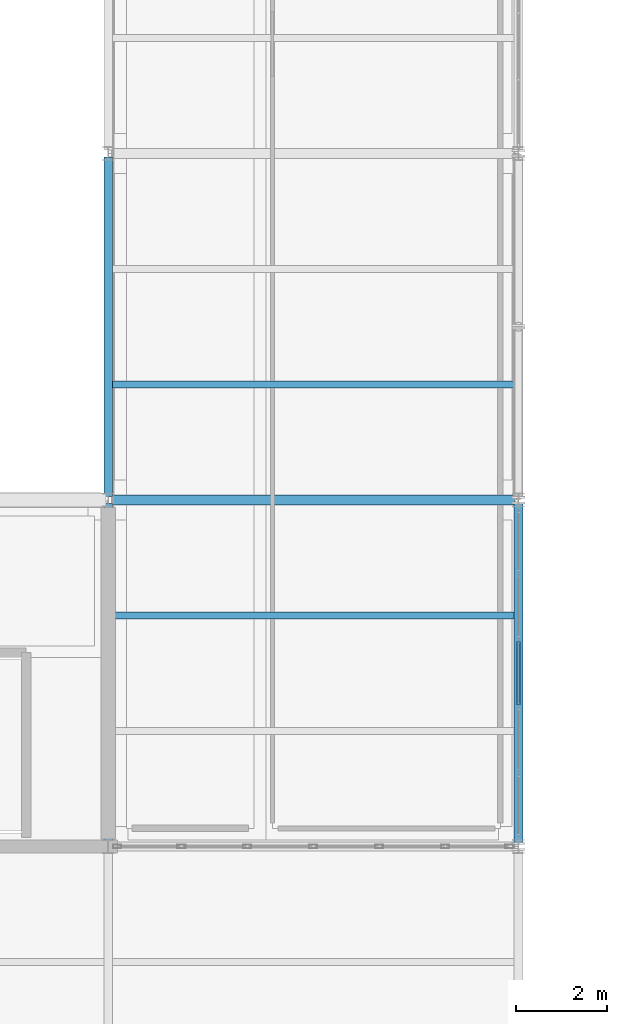
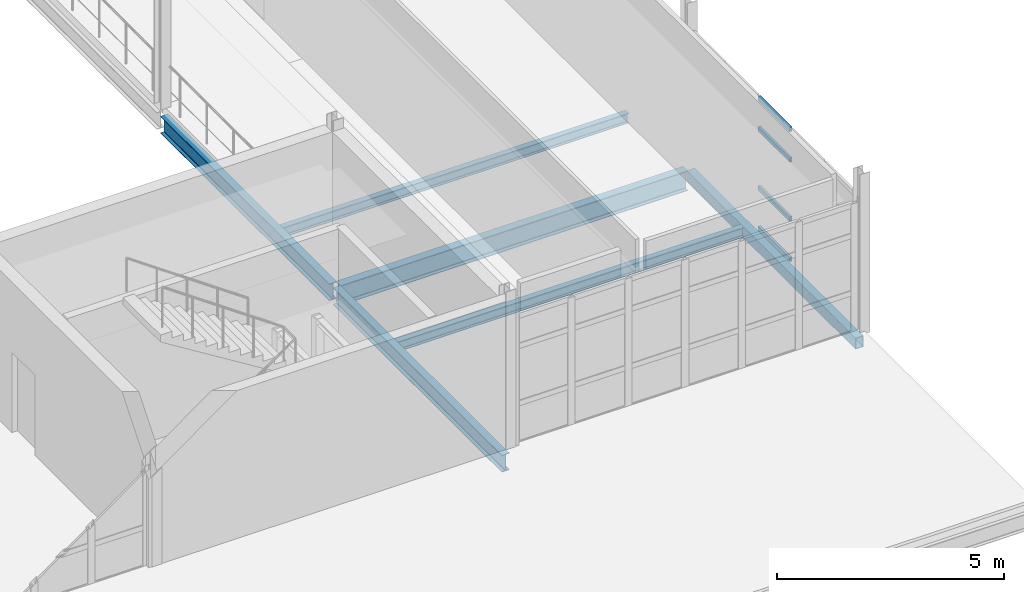
# One storey, part 59 of 96: 6 beams, 4 members, 1 element without a shape of its own.
"""IFC4 building model written with IfcOpenShell, lengths in metres."""

from ifc_helpers import new_model, si_unit, direction, frame, origin, origin_2d, place, context, subcontext, project, spatial, hollow_rectangle, i_section, extrude, material, material_profile, profile_set, type_object, element, aggregate, save


model = new_model("IFC4")

# Units and contexts
model_context = context("Model", 3, precision=1e-05, world=origin(), true_north=direction((0.0, 1.0)))
body_context = subcontext(model_context, "Body", "Model", "MODEL_VIEW")
ifc_project = project(units=[si_unit("LENGTHUNIT", "METRE"), si_unit("AREAUNIT", "SQUARE_METRE"), si_unit("VOLUMEUNIT", "CUBIC_METRE"), si_unit("PLANEANGLEUNIT", "RADIAN"), si_unit("MASSUNIT", "GRAM", prefix="KILO")], contexts=[model_context])

# Site, building, storey
site_placement = place(None, origin())
site = spatial("IfcSite", under=ifc_project, at=site_placement, CompositionType="ELEMENT")
building_placement = place(site_placement, origin())
building = spatial("IfcBuilding", under=site, at=building_placement, Name="Caisbarro Railhouse Central Library", CompositionType="ELEMENT")
storey_placement = place(building_placement, frame((0.0, 0.0, 13.679931640625)))
storey = spatial("IfcBuildingStorey", under=building, at=storey_placement, Name="L03", CompositionType="ELEMENT", Elevation=13.679931640625)

# Beams
ifc_material_1 = material(Name="Steel ASTM A572 Grade 50", Category="steel")
ifc_material_profile_1 = material_profile(ifc_material_1, i_section(OverallWidth=0.208984375, OverallDepth=0.532958984375, WebThickness=0.01025390625, FlangeThickness=0.015625, FilletRadius=0.02001953125, at=origin_2d()), Name="W530X92.0")
ifc_profile_set_1 = profile_set([ifc_material_profile_1], Name="Steel ASTM A572 Grade 50")
beam_type_1 = type_object("IfcBeamType", Name="BM-G06", PredefinedType="BEAM", material=ifc_profile_set_1)
beam_1_placement = place(storey_placement, frame((144.080078125, 76.0, -0.486328125), z_axis=(1.0, 0.0, 0.0), x_axis=(0.0, 1.0, 0.0)))
element("IfcBeam", 1, at=beam_1_placement, inside=storey, type_object=beam_type_1, Name="G06 beam L03 #1862", PredefinedType="BEAM", context=body_context, shape_type="SweptSolid", body=[
    extrude(i_section(OverallWidth=0.208984375, OverallDepth=0.532958984375, WebThickness=0.01025390625, FlangeThickness=0.015625, FilletRadius=0.02001953125, at=origin_2d()), origin(), (0.0, 0.0, 1.0), 8.83984375),
])
ifc_material_profile_2 = material_profile(ifc_material_1, i_section(OverallWidth=0.18994140625, OverallDepth=0.45703125, WebThickness=0.009033203125, FlangeThickness=0.014404296875, FilletRadius=0.01806640625, at=origin_2d()), Name="W460X74.0")
ifc_profile_set_2 = profile_set([ifc_material_profile_2], Name="Steel ASTM A572 Grade 50")
beam_type_2 = type_object("IfcBeamType", Name="BM-G08", PredefinedType="BEAM", material=ifc_profile_set_2)
for number, where, z_axis, x_axis, name in (
    (2, (144.0, 68.47998046875, -0.448486328125), (0.0, 1.0, 0.0), (-1.0, 0.0, 0.0), "G08 beam L03 #1897"),
    (3, (144.0, 76.080078125, -0.448486328125), (0.0, 1.0, 0.0), (-1.0, 0.0, 0.0), "G08 beam L03 #1898"),
):
    element("IfcBeam", number, at=place(storey_placement, frame(where, z_axis=z_axis, x_axis=x_axis)), inside=storey, type_object=beam_type_2, Name=name, PredefinedType="BEAM", context=body_context, shape_type="SweptSolid", body=[
        extrude(i_section(OverallWidth=0.18994140625, OverallDepth=0.45703125, WebThickness=0.009033203125, FlangeThickness=0.014404296875, FilletRadius=0.01806640625, at=origin_2d()), origin(), (0.0, 0.0, 1.0), 7.43994140625),
    ])
ifc_material_profile_3 = material_profile(ifc_material_1, i_section(OverallWidth=0.14794921875, OverallDepth=0.26611328125, WebThickness=0.007568359375, FlangeThickness=0.012939453125, FilletRadius=0.010009765625, at=origin_2d()), Name="W250X44.8")
ifc_profile_set_3 = profile_set([ifc_material_profile_3], Name="Steel ASTM A572 Grade 50")
beam_type_3 = type_object("IfcBeamType", Name="BM-J04", PredefinedType="JOIST", material=ifc_profile_set_3)
for number, where, z_axis, x_axis, name in (
    (4, (144.094970703125, 73.466796875, -0.35302734375), (1.0, 0.0, 0.0), (0.0, 1.0, 0.0), "J04 beam L03 #1934"),
    (5, (144.094970703125, 78.533203125, -0.35302734375), (1.0, 0.0, 0.0), (0.0, 1.0, 0.0), "J04 beam L03 #1935"),
):
    element("IfcBeam", number, at=place(storey_placement, frame(where, z_axis=z_axis, x_axis=x_axis)), inside=storey, type_object=beam_type_3, Name=name, PredefinedType="JOIST", context=body_context, shape_type="SweptSolid", body=[
        extrude(i_section(OverallWidth=0.14794921875, OverallDepth=0.26611328125, WebThickness=0.007568359375, FlangeThickness=0.012939453125, FilletRadius=0.010009765625, at=origin_2d()), origin(), (0.0, 0.0, 1.0), 8.804931640625),
    ])
ifc_material_profile_4 = material_profile(ifc_material_1, hollow_rectangle(XDim=0.199951171875, YDim=0.300048828125, WallThickness=0.012451171875, at=origin_2d()), Name="HSS300X200X12.5")
ifc_profile_set_4 = profile_set([ifc_material_profile_4], Name="Steel ASTM A572 Grade 50")
beam_type_4 = type_object("IfcBeamType", Name="BM-SP02", PredefinedType="SPANDREL", material=ifc_profile_set_4)
beam_2_placement = place(storey_placement, frame((153.0, 68.47998046875, -0.369873046875), z_axis=(0.0, 1.0, 0.0), x_axis=(-1.0, 0.0, 0.0)))
element("IfcBeam", 6, at=beam_2_placement, inside=storey, type_object=beam_type_4, Name="SP02 beam L03 #1903", PredefinedType="SPANDREL", context=body_context, shape_type="SweptSolid", body=[
    extrude(hollow_rectangle(XDim=0.199951171875, YDim=0.300048828125, WallThickness=0.012451171875, at=origin_2d()), origin(), (0.0, 0.0, 1.0), 7.43994140625),
])

# Curtain wall, members
ifc_material_2 = material(Name="Anodised architectural aluminium", Category="aluminium")
curtain_wall_type = type_object("IfcCurtainWallType", Name="CW-CW03", PredefinedType="NOTDEFINED", material=ifc_material_2)
curtain_wall_placement = place(storey_placement, origin())
curtain_wall = element("IfcCurtainWall", 7, at=curtain_wall_placement, inside=storey, type_object=curtain_wall_type, Name="CW03 curtain wall L03 #151", PredefinedType="NOTDEFINED")
ifc_material_profile_5 = material_profile(ifc_material_2, hollow_rectangle(XDim=0.06494140625, YDim=0.1201171875, WallThickness=0.00341796875, at=origin_2d()), Name="ALU-TRN-65X120")
ifc_profile_set_5 = profile_set([ifc_material_profile_5], Name="Anodised architectural aluminium")
member_type = type_object("IfcMemberType", Name="CWT-T02", PredefinedType="USERDEFINED", material=ifc_profile_set_5)
member_1_placement = place(storey_placement, frame((153.0, 71.50439453125, 0.032470703125), z_axis=(0.0, 1.0, 0.0), x_axis=(-1.0, 0.0, 0.0)))
member_1 = element("IfcMember", 8, at=member_1_placement, type_object=member_type, Name="CW03 transom 3.1", ObjectType="TRANSOM", PredefinedType="USERDEFINED", context=body_context, shape_type="SweptSolid", body=[
    extrude(hollow_rectangle(XDim=0.06494140625, YDim=0.1201171875, WallThickness=0.00341796875, at=origin_2d()), origin(), (0.0, 0.0, 1.0), 1.39111328125),
])
member_2_placement = place(storey_placement, frame((153.0, 71.50439453125, 1.1201171875), z_axis=(0.0, 1.0, 0.0), x_axis=(-1.0, 0.0, 0.0)))
member_2 = element("IfcMember", 9, at=member_2_placement, type_object=member_type, Name="CW03 transom 3.2", ObjectType="TRANSOM", PredefinedType="USERDEFINED", context=body_context, shape_type="SweptSolid", body=[
    extrude(hollow_rectangle(XDim=0.06494140625, YDim=0.1201171875, WallThickness=0.00341796875, at=origin_2d()), origin(), (0.0, 0.0, 1.0), 1.39111328125),
])
member_3_placement = place(storey_placement, frame((153.0, 71.50439453125, 2.7099609375), z_axis=(0.0, 1.0, 0.0), x_axis=(-1.0, 0.0, 0.0)))
member_3 = element("IfcMember", 10, at=member_3_placement, type_object=member_type, Name="CW03 transom 3.3", ObjectType="TRANSOM", PredefinedType="USERDEFINED", context=body_context, shape_type="SweptSolid", body=[
    extrude(hollow_rectangle(XDim=0.06494140625, YDim=0.1201171875, WallThickness=0.00341796875, at=origin_2d()), origin(), (0.0, 0.0, 1.0), 1.39111328125),
])
member_4_placement = place(storey_placement, frame((153.0, 71.50439453125, 3.527587890625), z_axis=(0.0, 1.0, 0.0), x_axis=(-1.0, 0.0, 0.0)))
member_4 = element("IfcMember", 11, at=member_4_placement, type_object=member_type, Name="CW03 transom 3.4", ObjectType="TRANSOM", PredefinedType="USERDEFINED", context=body_context, shape_type="SweptSolid", body=[
    extrude(hollow_rectangle(XDim=0.06494140625, YDim=0.1201171875, WallThickness=0.00341796875, at=origin_2d()), origin(), (0.0, 0.0, 1.0), 1.39111328125),
])
aggregate(curtain_wall, [member_1, member_2, member_3, member_4])

save(model, "model.ifc")
